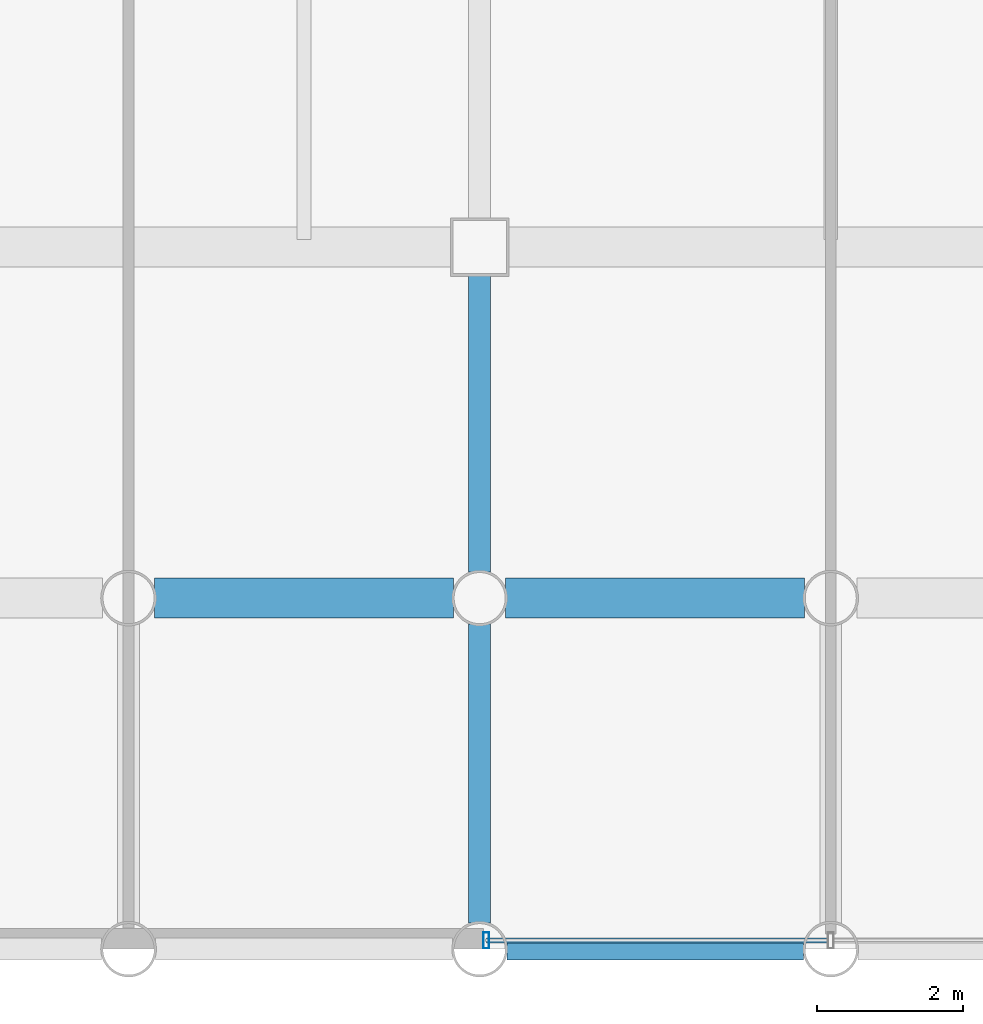
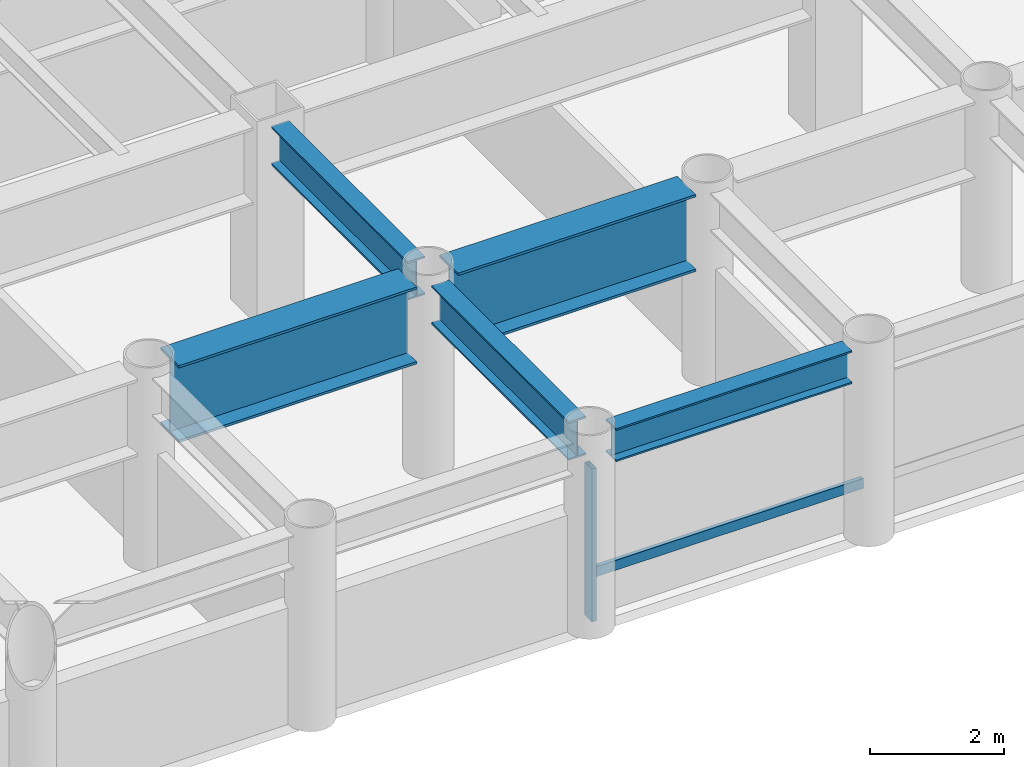
# One storey, part 2 of 22: 5 beams, 2 members, 1 element without a shape of its own.
"""IFC4 building model written with IfcOpenShell, lengths in metres."""

from ifc_helpers import new_model, si_unit, direction, frame, origin, origin_2d, place, context, subcontext, project, spatial, hollow_rectangle, i_section, extrude, material, layer, layer_set, material_profile, profile_set, type_object, element, aggregate, save


model = new_model("IFC4")

# Units and contexts
model_context = context("Model", 3, precision=1e-05, world=origin(), true_north=direction((0.0, 1.0)))
body_context = subcontext(model_context, "Body", "Model", "MODEL_VIEW")
ifc_project = project(units=[si_unit("LENGTHUNIT", "METRE"), si_unit("AREAUNIT", "SQUARE_METRE"), si_unit("VOLUMEUNIT", "CUBIC_METRE"), si_unit("PLANEANGLEUNIT", "RADIAN"), si_unit("MASSUNIT", "GRAM", prefix="KILO")], contexts=[model_context])

# Site, building, storey
site_placement = place(None, origin())
site = spatial("IfcSite", under=ifc_project, at=site_placement, CompositionType="ELEMENT")
building_placement = place(site_placement, origin())
building = spatial("IfcBuilding", under=site, at=building_placement, Name="Kallvorn Hotel Tower", CompositionType="ELEMENT")
storey_placement = place(building_placement, frame((0.0, 0.0, 59.60009765625)))
storey = spatial("IfcBuildingStorey", under=building, at=storey_placement, Name="L13", CompositionType="ELEMENT", Elevation=59.60009765625)

# Beams
ifc_material_1 = material(Name="Structural steel S355JR", Category="steel")
ifc_material_profile_1 = material_profile(ifc_material_1, i_section(OverallWidth=0.300048828125, OverallDepth=0.60009765625, WebThickness=0.015380859375, FlangeThickness=0.030029296875, at=origin_2d()), Name="HE 600 B")
ifc_profile_set_1 = profile_set([ifc_material_profile_1], Name="Structural steel S355JR")
beam_type_1 = type_object("IfcBeamType", Name="BM_HE600B", PredefinedType="SPANDREL", material=ifc_profile_set_1)
beam_1_placement = place(storey_placement, frame((-4.428955078125, -24.0, 3.219970703125), z_axis=(1.0, 0.0, 0.0), x_axis=(0.0, 1.0, 0.0)))
element("IfcBeam", 1, at=beam_1_placement, inside=storey, type_object=beam_type_1, Name="L14 Perimeter Spandrel 155", PredefinedType="SPANDREL", context=body_context, shape_type="SweptSolid", body=[
    extrude(i_section(OverallWidth=0.300048828125, OverallDepth=0.60009765625, WebThickness=0.015380859375, FlangeThickness=0.030029296875, at=origin_2d()), origin(), (0.0, 0.0, 1.0), 4.057861328125),
])
ifc_material_2 = material(Name="Structural steel S355JR", Category="steel")
ifc_material_profile_2 = material_profile(ifc_material_2, i_section(OverallWidth=0.300048828125, OverallDepth=0.699951171875, WebThickness=0.01708984375, FlangeThickness=0.031982421875, at=origin_2d()), Name="HE 700 B")
ifc_profile_set_2 = profile_set([ifc_material_profile_2], Name="Structural steel S355JR")
beam_type_2 = type_object("IfcBeamType", Name="BM_HE700B", PredefinedType="BEAM", material=ifc_profile_set_2)
beam_2_placement = place(storey_placement, frame((-4.800048828125, -23.64404296875, 3.169921875), z_axis=(0.0, 1.0, 0.0), x_axis=(-1.0, 0.0, 0.0)))
element("IfcBeam", 2, at=beam_2_placement, inside=storey, type_object=beam_type_2, Name="L14 Primary Y-Girder 105", PredefinedType="BEAM", context=body_context, shape_type="SweptSolid", body=[
    extrude(i_section(OverallWidth=0.300048828125, OverallDepth=0.699951171875, WebThickness=0.01708984375, FlangeThickness=0.031982421875, at=origin_2d()), origin(), (0.0, 0.0, 1.0), 4.088134765625),
])
beam_3_placement = place(storey_placement, frame((-4.800048828125, -18.843994140625, 3.169921875), z_axis=(0.0, 1.0, 0.0), x_axis=(-1.0, 0.0, 0.0)))
element("IfcBeam", 3, at=beam_3_placement, inside=storey, type_object=beam_type_2, Name="L14 Primary Y-Girder 106", PredefinedType="BEAM", context=body_context, shape_type="SweptSolid", body=[
    extrude(i_section(OverallWidth=0.300048828125, OverallDepth=0.699951171875, WebThickness=0.01708984375, FlangeThickness=0.031982421875, at=origin_2d()), origin(), (0.0, 0.0, 1.0), 4.069091796875),
])
ifc_material_3 = material(Name="Structural steel S355JR", Category="steel")
ifc_material_profile_3 = material_profile(ifc_material_3, i_section(OverallWidth=0.550048828125, OverallDepth=1.39990234375, WebThickness=0.02490234375, FlangeThickness=0.044921875, at=origin_2d()), Name="PG 1400x550x25x45")
ifc_profile_set_3 = profile_set([ifc_material_profile_3], Name="Structural steel S355JR")
beam_type_3 = type_object("IfcBeamType", Name="BM_PG_1400", PredefinedType="BEAM", material=ifc_profile_set_3)
beam_4_placement = place(storey_placement, frame((-9.243896484375, -19.199951171875, 2.81982421875), z_axis=(1.0, 0.0, 0.0), x_axis=(0.0, 1.0, 0.0)))
element("IfcBeam", 4, at=beam_4_placement, inside=storey, type_object=beam_type_3, Name="L14 Primary X-Girder 05", PredefinedType="BEAM", context=body_context, shape_type="SweptSolid", body=[
    extrude(i_section(OverallWidth=0.550048828125, OverallDepth=1.39990234375, WebThickness=0.02490234375, FlangeThickness=0.044921875, at=origin_2d()), origin(), (0.0, 0.0, 1.0), 4.087890625),
])
beam_5_placement = place(storey_placement, frame((-4.444091796875, -19.199951171875, 2.81982421875), z_axis=(1.0, 0.0, 0.0), x_axis=(0.0, 1.0, 0.0)))
element("IfcBeam", 5, at=beam_5_placement, inside=storey, type_object=beam_type_3, Name="L14 Primary X-Girder 06", PredefinedType="BEAM", context=body_context, shape_type="SweptSolid", body=[
    extrude(i_section(OverallWidth=0.550048828125, OverallDepth=1.39990234375, WebThickness=0.02490234375, FlangeThickness=0.044921875, at=origin_2d()), origin(), (0.0, 0.0, 1.0), 4.088134765625),
])

# Curtain wall, members
ifc_material_4 = material(Name="Thermally broken black-anodised aluminium AA 6063-T6", Category="aluminium")
ifc_layer = layer(ifc_material_4, 0.199951171875)
ifc_layer_set = layer_set([ifc_layer], Name="CW_SYS_3_HOTEL_LOW")
curtain_wall_type = type_object("IfcCurtainWallType", Name="CW_SYS_3_HOTEL_LOW", PredefinedType="USERDEFINED", material=ifc_layer_set)
curtain_wall_placement = place(storey_placement, origin())
curtain_wall = element("IfcCurtainWall", 6, at=curtain_wall_placement, inside=storey, type_object=curtain_wall_type, Name="L13 Dark-Glass Curtain Wall CW-L13-SC", ObjectType="UNITISED CURTAIN WALL", PredefinedType="USERDEFINED")
ifc_material_5 = material(Name="Thermally broken black-anodised aluminium AA 6063-T6", Category="aluminium")
ifc_material_profile_4 = material_profile(ifc_material_5, hollow_rectangle(XDim=0.080078125, YDim=0.219970703125, WallThickness=0.0048828125, at=origin_2d()), Name="MUL 220x80")
ifc_profile_set_4 = profile_set([ifc_material_profile_4], Name="Thermally broken black-anodised aluminium AA 6063-T6")
member_type_1 = type_object("IfcMemberType", Name="CW_MULLION_220x80", PredefinedType="MULLION", material=ifc_profile_set_4)
member_1_placement = place(storey_placement, frame((-4.7099609375, -23.8798828125, 0.02001953125), z_axis=(0.0, 0.0, 1.0), x_axis=(1.0, 0.0, 0.0)))
member_1 = element("IfcMember", 7, at=member_1_placement, type_object=member_type_1, Name="CW-L13-SC Mullion 00", PredefinedType="MULLION", context=body_context, shape_type="SweptSolid", body=[
    extrude(hollow_rectangle(XDim=0.080078125, YDim=0.219970703125, WallThickness=0.0048828125, at=origin_2d()), origin(), (0.0, 0.0, 1.0), 2.77978515625),
])
ifc_material_6 = material(Name="Thermally broken black-anodised aluminium AA 6063-T6", Category="aluminium")
ifc_material_profile_5 = material_profile(ifc_material_6, hollow_rectangle(XDim=0.070068359375, YDim=0.179931640625, WallThickness=0.00390625, at=origin_2d()), Name="TRN 180x70")
ifc_profile_set_5 = profile_set([ifc_material_profile_5], Name="Thermally broken black-anodised aluminium AA 6063-T6")
member_type_2 = type_object("IfcMemberType", Name="CW_TRANSOM_180x70", PredefinedType="USERDEFINED", material=ifc_profile_set_5)
member_2_placement = place(storey_placement, frame((-4.7099609375, -23.8798828125, 0.849853515625), z_axis=(1.0, 0.0, 0.0), x_axis=(0.0, 1.0, 0.0)))
member_2 = element("IfcMember", 8, at=member_2_placement, type_object=member_type_2, Name="CW-L13-SC Transom 00M", ObjectType="TRANSOM", PredefinedType="USERDEFINED", context=body_context, shape_type="SweptSolid", body=[
    extrude(hollow_rectangle(XDim=0.070068359375, YDim=0.179931640625, WallThickness=0.00390625, at=origin_2d()), origin(), (0.0, 0.0, 1.0), 4.669921875),
])
aggregate(curtain_wall, [member_1, member_2])

save(model, "model.ifc")
